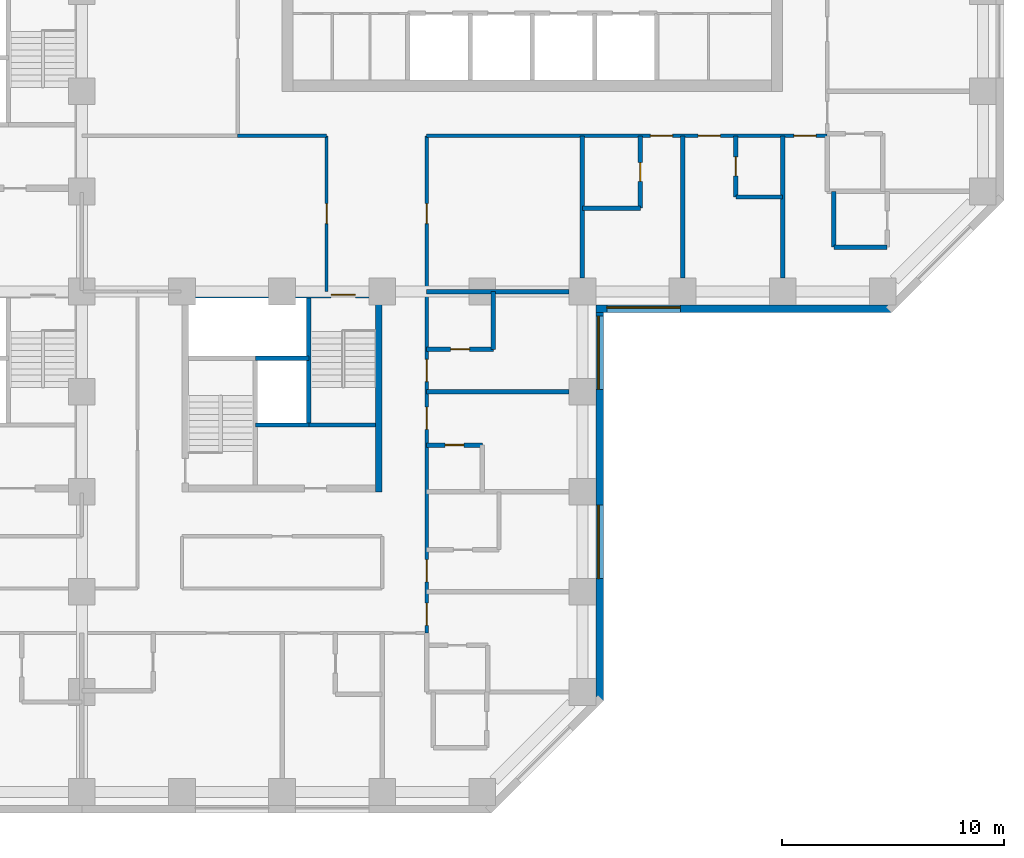
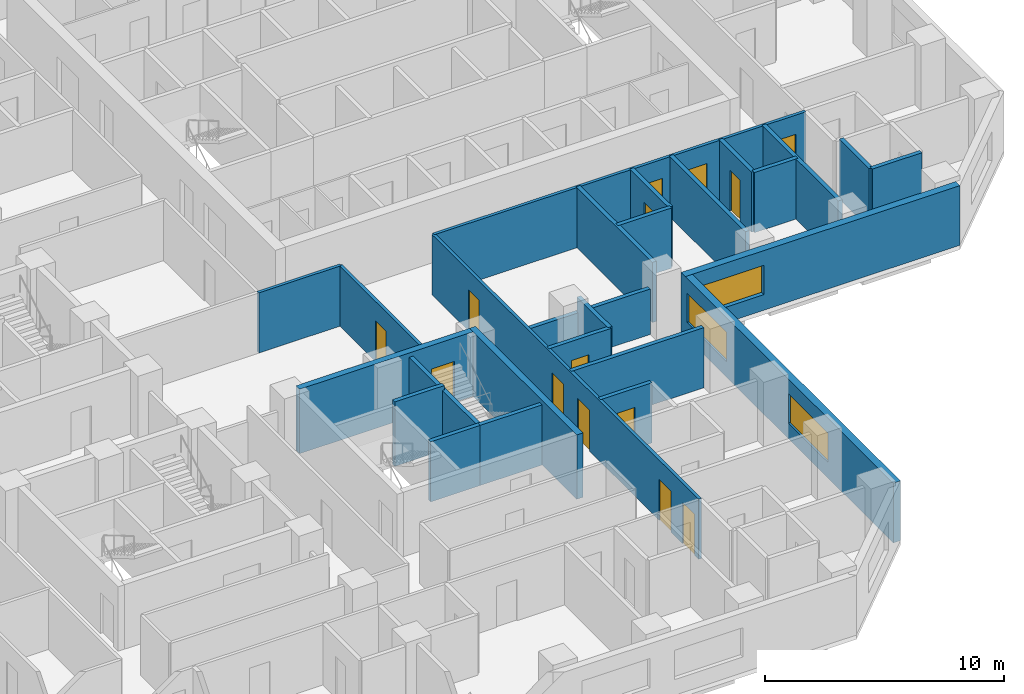
# One storey, part 5 of 12: 26 walls, 14 doors, 3 windows, 17 openings.
"""IFC4 building model written with IfcOpenShell, lengths in metres."""

from ifc_helpers import new_model, si_unit, direction, frame, frame_2d, origin, place, context, subcontext, project, spatial, rectangle, extrude, material, layer, layer_set, constituent, constituent_set, type_object, element, fill, save


model = new_model("IFC4")

# Units and contexts
model_context = context("Model", 3, precision=1e-05, world=origin(), true_north=direction((0.0, 1.0)))
body_context = subcontext(model_context, "Body", "Model", "MODEL_VIEW")
ifc_project = project(units=[si_unit("LENGTHUNIT", "METRE"), si_unit("AREAUNIT", "SQUARE_METRE"), si_unit("VOLUMEUNIT", "CUBIC_METRE"), si_unit("PLANEANGLEUNIT", "RADIAN"), si_unit("MASSUNIT", "GRAM", prefix="KILO")], contexts=[model_context])

# Site, building, storey
site_placement = place(None, origin())
site = spatial("IfcSite", under=ifc_project, at=site_placement, CompositionType="ELEMENT")
building_placement = place(site_placement, origin())
building = spatial("IfcBuilding", under=site, at=building_placement, Name="Quoin Convention Tower", CompositionType="ELEMENT")
storey_placement = place(building_placement, frame((0.0, 0.0, 59.39990234375)))
storey = spatial("IfcBuildingStorey", under=building, at=storey_placement, Name="L15", CompositionType="ELEMENT", Elevation=59.39990234375)

# Wall, openings, windows
ifc_material_1 = material(Name="Brick masonry", Category="masonry")
ifc_layer_1 = layer(ifc_material_1, 0.35009765625)
ifc_layer_set_1 = layer_set([ifc_layer_1], Name="Brick masonry")
wall_type_1 = type_object("IfcWallType", Name="Brick facade wall", PredefinedType="STANDARD", material=ifc_layer_set_1)
wall_1_placement = place(storey_placement, frame((59.27490234375, 22.1064453125, 0.0), z_axis=(0.0, 0.0, 1.0), x_axis=(0.0, 1.0, 0.0)))
wall_1 = element("IfcWall", 1, at=wall_1_placement, inside=storey, type_object=wall_type_1, Name="fw-L15-58500_22500", PredefinedType="STANDARD", context=body_context, shape_type="SweptSolid", body=[
    extrude(rectangle(XDim=17.79345703125, YDim=0.35009765625, at=frame_2d((8.896728515625, 0.0))), origin(), (0.0, 0.0, 1.0), 3.05517578125),
])
opening_1_placement = place(wall_1_placement, frame((5.493408203125, 0.0, 0.800048828125)))
opening_1 = element("IfcOpeningElement", 2, at=opening_1_placement, cuts=wall_1, Name="Opening W-01", PredefinedType="OPENING", context=body_context, shape_type="SweptSolid", body=[
    extrude(rectangle(XDim=3.300048828125, YDim=1.5, at=frame_2d((1.64990234375, 0.75))), frame((0.0, 0.18505859375, 0.0), z_axis=(0.0, -1.0, 0.0), x_axis=(1.0, 0.0, 0.0)), (0.0, 0.0, 1.0), 0.3701171875),
])
opening_2_placement = place(wall_1_placement, frame((13.993408203125, 0.0, 0.800048828125)))
opening_2 = element("IfcOpeningElement", 3, at=opening_2_placement, cuts=wall_1, Name="Opening W-01", PredefinedType="OPENING", context=body_context, shape_type="SweptSolid", body=[
    extrude(rectangle(XDim=3.300048828125, YDim=1.5, at=frame_2d((1.64990234375, 0.75))), frame((0.0, 0.18505859375, 0.0), z_axis=(0.0, -1.0, 0.0), x_axis=(1.0, 0.0, 0.0)), (0.0, 0.0, 1.0), 0.3701171875),
])
ifc_material_2 = material(Name="Aluminium", Category="aluminium")
ifc_constituent_1 = constituent(ifc_material_2, Name="Frame")
ifc_material_3 = material(Name="Insulated glass", Category="glass")
ifc_constituent_2 = constituent(ifc_material_3, Name="Glazing")
ifc_constituent_set = constituent_set(constituents=[ifc_constituent_1, ifc_constituent_2], Name="Aluminium")
window_type = type_object("IfcWindowType", Name="Hotel strip window", PartitioningType="DOUBLE_PANEL_VERTICAL", PredefinedType="WINDOW", material=ifc_constituent_set)
window_1_placement = place(opening_1_placement, origin())
window_1 = element("IfcWindow", 4, at=window_1_placement, inside=storey, type_object=window_type, Name="win-L15-59275_29250", OverallHeight=1.5, OverallWidth=3.300048828125, PartitioningType="SINGLE_PANEL", PredefinedType="WINDOW", context=body_context, shape_type="SweptSolid", body=[
    extrude(rectangle(XDim=3.300048828125, YDim=1.5, at=frame_2d((1.64990234375, 0.75))), frame((0.0, 0.0849609375, 0.0), z_axis=(0.0, -1.0, 0.0), x_axis=(1.0, 0.0, 0.0)), (0.0, 0.0, 1.0), 0.06005859375),
])
fill(opening_1, window_1)
window_2_placement = place(opening_2_placement, origin())
window_2 = element("IfcWindow", 5, at=window_2_placement, inside=storey, type_object=window_type, Name="win-L15-59275_38250", OverallHeight=1.5, OverallWidth=3.300048828125, PartitioningType="SINGLE_PANEL", PredefinedType="WINDOW", context=body_context, shape_type="SweptSolid", body=[
    extrude(rectangle(XDim=3.300048828125, YDim=1.5, at=frame_2d((1.64990234375, 0.75))), frame((0.0, 0.0849609375, 0.0), z_axis=(0.0, -1.0, 0.0), x_axis=(1.0, 0.0, 0.0)), (0.0, 0.0, 1.0), 0.06005859375),
])
fill(opening_2, window_2)

# Wall, opening, window
wall_2_placement = place(storey_placement, frame((59.10009765625, 39.72509765625, 0.0), z_axis=(0.0, 0.0, 1.0), x_axis=(1.0, 0.0, 0.0)))
wall_2 = element("IfcWall", 6, at=wall_2_placement, inside=storey, type_object=wall_type_1, Name="fw-L15-58500_40500", PredefinedType="STANDARD", context=body_context, shape_type="SweptSolid", body=[
    extrude(rectangle(XDim=13.29345703125, YDim=0.35009765625, at=frame_2d((6.646728515625, 0.0))), origin(), (0.0, 0.0, 1.0), 3.05517578125),
])
opening_3_placement = place(wall_2_placement, frame((0.5, 0.0, 0.800048828125)))
opening_3 = element("IfcOpeningElement", 7, at=opening_3_placement, cuts=wall_2, Name="Opening W-01", PredefinedType="OPENING", context=body_context, shape_type="SweptSolid", body=[
    extrude(rectangle(XDim=3.300048828125, YDim=1.5, at=frame_2d((1.64990234375, 0.75))), frame((0.0, 0.18505859375, 0.0), z_axis=(0.0, -1.0, 0.0), x_axis=(1.0, 0.0, 0.0)), (0.0, 0.0, 1.0), 0.3701171875),
])
window_3_placement = place(opening_3_placement, origin())
window_3 = element("IfcWindow", 8, at=window_3_placement, inside=storey, type_object=window_type, Name="win-L15-60750_39725", OverallHeight=1.5, OverallWidth=3.300048828125, PartitioningType="SINGLE_PANEL", PredefinedType="WINDOW", context=body_context, shape_type="SweptSolid", body=[
    extrude(rectangle(XDim=3.300048828125, YDim=1.5, at=frame_2d((1.64990234375, 0.75))), frame((0.0, 0.0849609375, 0.0), z_axis=(0.0, -1.0, 0.0), x_axis=(1.0, 0.0, 0.0)), (0.0, 0.0, 1.0), 0.06005859375),
])
fill(opening_3, window_3)

# Walls
ifc_material_4 = material(Name="Concrete C50", Category="concrete")
ifc_layer_2 = layer(ifc_material_4, 0.199951171875)
ifc_layer_set_2 = layer_set([ifc_layer_2], Name="Concrete C50")
wall_type_2 = type_object("IfcWallType", Name="Core shaft wall", PredefinedType="SOLIDWALL", material=ifc_layer_set_2)
wall_3_placement = place(storey_placement, frame((43.800048828125, 34.5, 0.0), z_axis=(0.0, 0.0, 1.0), x_axis=(1.0, 0.0, 0.0)))
element("IfcWall", 9, at=wall_3_placement, inside=storey, type_object=wall_type_2, Name="cr-P3-L15-h3000_3300", PredefinedType="SOLIDWALL", context=body_context, shape_type="SweptSolid", body=[
    extrude(rectangle(XDim=2.39990234375, YDim=0.199951171875, at=frame_2d((1.199951171875, 0.0))), origin(), (0.0, 0.0, 1.0), 3.080078125),
])
wall_4_placement = place(storey_placement, frame((46.199951171875, 34.5, 0.0), z_axis=(0.0, 0.0, 1.0), x_axis=(1.0, 0.0, 0.0)))
element("IfcWall", 10, at=wall_4_placement, inside=storey, type_object=wall_type_2, Name="cr-P3-L15-h3000_5700", PredefinedType="SOLIDWALL", context=body_context, shape_type="SweptSolid", body=[
    extrude(rectangle(XDim=3.0, YDim=0.199951171875, at=frame_2d((1.5, 0.0))), origin(), (0.0, 0.0, 1.0), 3.080078125),
])
wall_5_placement = place(storey_placement, frame((46.199951171875, 34.5, 0.0), z_axis=(0.0, 0.0, 1.0), x_axis=(0.0, 1.0, 0.0)))
element("IfcWall", 11, at=wall_5_placement, inside=storey, type_object=wall_type_2, Name="cr-P3-L15-v5700_3000", PredefinedType="SOLIDWALL", context=body_context, shape_type="SweptSolid", body=[
    extrude(rectangle(XDim=5.699951171875, YDim=0.199951171875, at=frame_2d((2.85009765625, 0.0))), origin(), (0.0, 0.0, 1.0), 3.080078125),
])
ifc_layer_3 = layer(ifc_material_4, 0.199951171875)
ifc_layer_set_3 = layer_set([ifc_layer_3], Name="Concrete C50")
wall_type_3 = type_object("IfcWallType", Name="Core shaft wall to the floor level over", PredefinedType="SOLIDWALL", material=ifc_layer_set_3)
wall_6_placement = place(storey_placement, frame((43.800048828125, 37.5, 0.0), z_axis=(0.0, 0.0, 1.0), x_axis=(1.0, 0.0, 0.0)))
element("IfcWall", 12, at=wall_6_placement, inside=storey, type_object=wall_type_3, Name="cr-P3-L15-h6000_3300", PredefinedType="SOLIDWALL", context=body_context, shape_type="SweptSolid", body=[
    extrude(rectangle(XDim=2.39990234375, YDim=0.199951171875, at=frame_2d((1.199951171875, 0.0))), origin(), (0.0, 0.0, 1.0), 3.300048828125),
])

# Wall, opening, door
ifc_material_5 = material(Name="Concrete C80", Category="concrete")
ifc_layer_4 = layer(ifc_material_5, 0.300048828125)
ifc_layer_set_4 = layer_set([ifc_layer_4], Name="Concrete C80")
wall_type_4 = type_object("IfcWallType", Name="RC CORE WALL 300 C80", PredefinedType="SHEAR", material=ifc_layer_set_4)
wall_7_placement = place(storey_placement, frame((40.800048828125, 40.35009765625, 0.0), z_axis=(0.0, 0.0, 1.0), x_axis=(1.0, 0.0, 0.0)))
wall_7 = element("IfcWall", 13, at=wall_7_placement, inside=storey, type_object=wall_type_4, Name="cwl-P3-L15-N", PredefinedType="SHEAR", context=body_context, shape_type="SweptSolid", body=[
    extrude(rectangle(XDim=8.39990234375, YDim=0.300048828125, at=frame_2d((4.199951171875, 0.0))), origin(), (0.0, 0.0, 1.0), 3.300048828125),
])
opening_4_placement = place(wall_7_placement, frame((6.39990234375, 0.0, 0.0)))
opening_4 = element("IfcOpeningElement", 14, at=opening_4_placement, cuts=wall_7, Name="Opening SD6", PredefinedType="OPENING", context=body_context, shape_type="SweptSolid", body=[
    extrude(rectangle(XDim=1.10009765625, YDim=2.10009765625, at=frame_2d((0.550048828125, 1.050048828125))), frame((0.0, 0.159912109375, 0.0), z_axis=(0.0, -1.0, 0.0), x_axis=(1.0, 0.0, 0.0)), (0.0, 0.0, 1.0), 0.320068359375),
])
ifc_material_6 = material(Name="Steel door leaf", Category="steel")
door_type_1 = type_object("IfcDoorType", Name="Stair door 1100 x 2100", OperationType="SINGLE_SWING_RIGHT", PredefinedType="DOOR", material=ifc_material_6)
door_1_placement = place(opening_4_placement, frame((1.10009765625, 0.0, 0.0), z_axis=(0.0, 0.0, 1.0), x_axis=(-1.0, 0.0, 0.0)))
door_1 = element("IfcDoor", 15, at=door_1_placement, inside=storey, type_object=door_type_1, Name="cd-P3-L15-SB-N", OperationType="SINGLE_SWING_LEFT", OverallHeight=2.10009765625, OverallWidth=1.10009765625, PredefinedType="DOOR", context=body_context, shape_type="SweptSolid", body=[
    extrude(rectangle(XDim=1.10009765625, YDim=2.10009765625, at=frame_2d((0.550048828125, 1.050048828125))), frame((0.0, 0.02490234375, 0.0), z_axis=(0.0, -1.0, 0.0), x_axis=(1.0, 0.0, 0.0)), (0.0, 0.0, 1.0), 0.050048828125),
])
fill(opening_4, door_1)

# Wall
wall_8_placement = place(storey_placement, frame((49.35009765625, 31.5, 0.0), z_axis=(0.0, 0.0, 1.0), x_axis=(0.0, 1.0, 0.0)))
element("IfcWall", 16, at=wall_8_placement, inside=storey, type_object=wall_type_4, Name="cwl-P3-L15-E", PredefinedType="SHEAR", context=body_context, shape_type="SweptSolid", body=[
    extrude(rectangle(XDim=9.0, YDim=0.300048828125, at=frame_2d((4.5, 0.0))), origin(), (0.0, 0.0, 1.0), 3.300048828125),
])

# Wall, opening, door
ifc_layer_5 = layer(ifc_material_4, 0.199951171875)
ifc_layer_set_5 = layer_set([ifc_layer_5], Name="Concrete C50")
wall_type_5 = type_object("IfcWallType", Name="RC party wall", PredefinedType="SOLIDWALL", material=ifc_layer_set_5)
wall_9_placement = place(storey_placement, frame((51.5, 33.60009765625, 0.0), z_axis=(0.0, 0.0, 1.0), x_axis=(1.0, 0.0, 0.0)))
wall_9 = element("IfcWall", 17, at=wall_9_placement, inside=storey, type_object=wall_type_5, Name="pw-L15-076", PredefinedType="SOLIDWALL", context=body_context, shape_type="SweptSolid", body=[
    extrude(rectangle(XDim=2.5, YDim=0.199951171875, at=frame_2d((1.25, 0.0))), origin(), (0.0, 0.0, 1.0), 3.080078125),
])
opening_5_placement = place(wall_9_placement, frame((0.824951171875, 0.0, 0.0)))
opening_5 = element("IfcOpeningElement", 18, at=opening_5_placement, cuts=wall_9, Name="Opening DHOTEL-D-52", PredefinedType="OPENING", context=body_context, shape_type="SweptSolid", body=[
    extrude(rectangle(XDim=0.85009765625, YDim=2.10009765625, at=frame_2d((0.425048828125, 1.050048828125))), frame((0.0, 0.10986328125, 0.0), z_axis=(0.0, -1.0, 0.0), x_axis=(1.0, 0.0, 0.0)), (0.0, 0.0, 1.0), 0.219970703125),
])
door_type_2 = type_object("IfcDoorType", Name="Bathroom door", OperationType="SINGLE_SWING_LEFT", PredefinedType="DOOR", material=ifc_material_6)
door_2_placement = place(opening_5_placement, frame((0.85009765625, 0.0, 0.0), z_axis=(0.0, 0.0, 1.0), x_axis=(-1.0, 0.0, 0.0)))
door_2 = element("IfcDoor", 19, at=door_2_placement, inside=storey, type_object=door_type_2, Name="dr-L15-028", OperationType="SINGLE_SWING_RIGHT", OverallHeight=2.10009765625, OverallWidth=0.85009765625, PredefinedType="DOOR", context=body_context, shape_type="SweptSolid", body=[
    extrude(rectangle(XDim=0.85009765625, YDim=2.10009765625, at=frame_2d((0.425048828125, 1.050048828125))), frame((0.0, 0.02490234375, 0.0), z_axis=(0.0, -1.0, 0.0), x_axis=(1.0, 0.0, 0.0)), (0.0, 0.0, 1.0), 0.050048828125),
])
fill(opening_5, door_2)

# Wall
wall_10_placement = place(storey_placement, frame((51.5, 36.0, 0.0), z_axis=(0.0, 0.0, 1.0), x_axis=(1.0, 0.0, 0.0)))
element("IfcWall", 20, at=wall_10_placement, inside=storey, type_object=wall_type_5, Name="pw-L15-079", PredefinedType="SOLIDWALL", context=body_context, shape_type="SweptSolid", body=[
    extrude(rectangle(XDim=6.39990234375, YDim=0.199951171875, at=frame_2d((3.199951171875, 0.0))), origin(), (0.0, 0.0, 1.0), 3.080078125),
])

# Wall, opening, door
wall_11_placement = place(storey_placement, frame((51.5, 37.89990234375, 0.0), z_axis=(0.0, 0.0, 1.0), x_axis=(1.0, 0.0, 0.0)))
wall_11 = element("IfcWall", 21, at=wall_11_placement, inside=storey, type_object=wall_type_5, Name="pw-L15-080", PredefinedType="SOLIDWALL", context=body_context, shape_type="SweptSolid", body=[
    extrude(rectangle(XDim=3.0, YDim=0.199951171875, at=frame_2d((1.5, 0.0))), origin(), (0.0, 0.0, 1.0), 3.080078125),
])
opening_6_placement = place(wall_11_placement, frame((1.074951171875, 0.0, 0.0)))
opening_6 = element("IfcOpeningElement", 22, at=opening_6_placement, cuts=wall_11, Name="Opening DHOTEL-D-54", PredefinedType="OPENING", context=body_context, shape_type="SweptSolid", body=[
    extrude(rectangle(XDim=0.85009765625, YDim=2.10009765625, at=frame_2d((0.425048828125, 1.050048828125))), frame((0.0, 0.10986328125, 0.0), z_axis=(0.0, -1.0, 0.0), x_axis=(1.0, 0.0, 0.0)), (0.0, 0.0, 1.0), 0.219970703125),
])
door_3_placement = place(opening_6_placement, frame((0.85009765625, 0.0, 0.0), z_axis=(0.0, 0.0, 1.0), x_axis=(-1.0, 0.0, 0.0)))
door_3 = element("IfcDoor", 23, at=door_3_placement, inside=storey, type_object=door_type_2, Name="dr-L15-030", OperationType="SINGLE_SWING_RIGHT", OverallHeight=2.10009765625, OverallWidth=0.85009765625, PredefinedType="DOOR", context=body_context, shape_type="SweptSolid", body=[
    extrude(rectangle(XDim=0.85009765625, YDim=2.10009765625, at=frame_2d((0.425048828125, 1.050048828125))), frame((0.0, 0.02490234375, 0.0), z_axis=(0.0, -1.0, 0.0), x_axis=(1.0, 0.0, 0.0)), (0.0, 0.0, 1.0), 0.050048828125),
])
fill(opening_6, door_3)

# Walls
wall_12_placement = place(storey_placement, frame((54.5, 37.89990234375, 0.0), z_axis=(0.0, 0.0, 1.0), x_axis=(0.0, 1.0, 0.0)))
element("IfcWall", 24, at=wall_12_placement, inside=storey, type_object=wall_type_5, Name="pw-L15-081", PredefinedType="SOLIDWALL", context=body_context, shape_type="SweptSolid", body=[
    extrude(rectangle(XDim=2.60009765625, YDim=0.199951171875, at=frame_2d((1.300048828125, 0.0))), origin(), (0.0, 0.0, 1.0), 3.080078125),
])
for number, where, z_axis, x_axis, name in (
    (25, (63.0, 41.10009765625, 0.0), (0.0, 0.0, 1.0), (0.0, 1.0, 0.0), "pw-L15-086"),
    (26, (67.5, 41.10009765625, 0.0), (0.0, 0.0, 1.0), (0.0, 1.0, 0.0), "pw-L15-087"),
):
    element("IfcWall", number, at=place(storey_placement, frame(where, z_axis=z_axis, x_axis=x_axis)), inside=storey, type_object=wall_type_5, Name=name, PredefinedType="SOLIDWALL", context=body_context, shape_type="SweptSolid", body=[
        extrude(rectangle(XDim=6.39990234375, YDim=0.199951171875, at=frame_2d((3.199951171875, 0.0))), origin(), (0.0, 0.0, 1.0), 3.080078125),
    ])
wall_13_placement = place(storey_placement, frame((69.800048828125, 42.5, 0.0), z_axis=(0.0, 0.0, 1.0), x_axis=(1.0, 0.0, 0.0)))
element("IfcWall", 27, at=wall_13_placement, inside=storey, type_object=wall_type_5, Name="pw-L15-088", PredefinedType="SOLIDWALL", context=body_context, shape_type="SweptSolid", body=[
    extrude(rectangle(XDim=2.39990234375, YDim=0.199951171875, at=frame_2d((1.199951171875, 0.0))), origin(), (0.0, 0.0, 1.0), 3.080078125),
])
wall_14_placement = place(storey_placement, frame((69.800048828125, 42.5, 0.0), z_axis=(0.0, 0.0, 1.0), x_axis=(0.0, 1.0, 0.0)))
element("IfcWall", 28, at=wall_14_placement, inside=storey, type_object=wall_type_5, Name="pw-L15-089", PredefinedType="SOLIDWALL", context=body_context, shape_type="SweptSolid", body=[
    extrude(rectangle(XDim=2.5, YDim=0.199951171875, at=frame_2d((1.25, 0.0))), origin(), (0.0, 0.0, 1.0), 3.080078125),
])
wall_15_placement = place(storey_placement, frame((58.5, 44.25, 0.0), z_axis=(0.0, 0.0, 1.0), x_axis=(1.0, 0.0, 0.0)))
element("IfcWall", 29, at=wall_15_placement, inside=storey, type_object=wall_type_5, Name="pw-L15-092", PredefinedType="SOLIDWALL", context=body_context, shape_type="SweptSolid", body=[
    extrude(rectangle(XDim=2.60009765625, YDim=0.199951171875, at=frame_2d((1.300048828125, 0.0))), origin(), (0.0, 0.0, 1.0), 3.080078125),
])

# Wall, opening, door
wall_16_placement = place(storey_placement, frame((61.10009765625, 44.25, 0.0), z_axis=(0.0, 0.0, 1.0), x_axis=(0.0, 1.0, 0.0)))
wall_16 = element("IfcWall", 30, at=wall_16_placement, inside=storey, type_object=wall_type_5, Name="pw-L15-093", PredefinedType="SOLIDWALL", context=body_context, shape_type="SweptSolid", body=[
    extrude(rectangle(XDim=3.25, YDim=0.199951171875, at=frame_2d((1.625, 0.0))), origin(), (0.0, 0.0, 1.0), 3.080078125),
])
opening_7_placement = place(wall_16_placement, frame((1.199951171875, 0.0, 0.0)))
opening_7 = element("IfcOpeningElement", 31, at=opening_7_placement, cuts=wall_16, Name="Opening DHOTEL-D-58", PredefinedType="OPENING", context=body_context, shape_type="SweptSolid", body=[
    extrude(rectangle(XDim=0.85009765625, YDim=2.10009765625, at=frame_2d((0.425048828125, 1.050048828125))), frame((0.0, 0.10986328125, 0.0), z_axis=(0.0, -1.0, 0.0), x_axis=(1.0, 0.0, 0.0)), (0.0, 0.0, 1.0), 0.219970703125),
])
door_4_placement = place(opening_7_placement, frame((0.85009765625, 0.0, 0.0), z_axis=(0.0, 0.0, 1.0), x_axis=(-1.0, 0.0, 0.0)))
door_4 = element("IfcDoor", 32, at=door_4_placement, inside=storey, type_object=door_type_2, Name="dr-L15-058", OperationType="SINGLE_SWING_LEFT", OverallHeight=2.10009765625, OverallWidth=0.85009765625, PredefinedType="DOOR", context=body_context, shape_type="SweptSolid", body=[
    extrude(rectangle(XDim=0.85009765625, YDim=2.10009765625, at=frame_2d((0.425048828125, 1.050048828125))), frame((0.0, 0.02490234375, 0.0), z_axis=(0.0, -1.0, 0.0), x_axis=(1.0, 0.0, 0.0)), (0.0, 0.0, 1.0), 0.050048828125),
])
fill(opening_7, door_4)

# Wall
wall_17_placement = place(storey_placement, frame((65.39990234375, 44.75, 0.0), z_axis=(0.0, 0.0, 1.0), x_axis=(1.0, 0.0, 0.0)))
element("IfcWall", 33, at=wall_17_placement, inside=storey, type_object=wall_type_5, Name="pw-L15-094", PredefinedType="SOLIDWALL", context=body_context, shape_type="SweptSolid", body=[
    extrude(rectangle(XDim=2.10009765625, YDim=0.199951171875, at=frame_2d((1.050048828125, 0.0))), origin(), (0.0, 0.0, 1.0), 3.080078125),
])

# Wall, opening, door
wall_18_placement = place(storey_placement, frame((65.39990234375, 44.75, 0.0), z_axis=(0.0, 0.0, 1.0), x_axis=(0.0, 1.0, 0.0)))
wall_18 = element("IfcWall", 34, at=wall_18_placement, inside=storey, type_object=wall_type_5, Name="pw-L15-095", PredefinedType="SOLIDWALL", context=body_context, shape_type="SweptSolid", body=[
    extrude(rectangle(XDim=2.75, YDim=0.199951171875, at=frame_2d((1.375, 0.0))), origin(), (0.0, 0.0, 1.0), 3.080078125),
])
opening_8_placement = place(wall_18_placement, frame((0.949951171875, 0.0, 0.0)))
opening_8 = element("IfcOpeningElement", 35, at=opening_8_placement, cuts=wall_18, Name="Opening DHOTEL-D-59", PredefinedType="OPENING", context=body_context, shape_type="SweptSolid", body=[
    extrude(rectangle(XDim=0.85009765625, YDim=2.10009765625, at=frame_2d((0.425048828125, 1.050048828125))), frame((0.0, 0.10986328125, 0.0), z_axis=(0.0, -1.0, 0.0), x_axis=(1.0, 0.0, 0.0)), (0.0, 0.0, 1.0), 0.219970703125),
])
door_5_placement = place(opening_8_placement, origin())
door_5 = element("IfcDoor", 36, at=door_5_placement, inside=storey, type_object=door_type_2, Name="dr-L15-056", OperationType="SINGLE_SWING_RIGHT", OverallHeight=2.10009765625, OverallWidth=0.85009765625, PredefinedType="DOOR", context=body_context, shape_type="SweptSolid", body=[
    extrude(rectangle(XDim=0.85009765625, YDim=2.10009765625, at=frame_2d((0.425048828125, 1.050048828125))), frame((0.0, 0.02490234375, 0.0), z_axis=(0.0, -1.0, 0.0), x_axis=(1.0, 0.0, 0.0)), (0.0, 0.0, 1.0), 0.050048828125),
])
fill(opening_8, door_5)

# Wall, openings, doors
ifc_material_7 = material(Name="Plasterboard")
ifc_layer_6 = layer(ifc_material_7, 0.012451171875, Name="Finish")
ifc_material_8 = material(Name="Steel stud framing", Category="steel")
ifc_layer_7 = layer(ifc_material_8, 0.125, Name="Structure")
ifc_layer_8 = layer(ifc_material_7, 0.012451171875, Name="Finish")
ifc_layer_set_6 = layer_set([ifc_layer_6, ifc_layer_7, ifc_layer_8], Name="Steel stud framing")
wall_type_6 = type_object("IfcWallType", Name="corridor partition", PredefinedType="PARTITIONING", material=ifc_layer_set_6)
wall_19_placement = place(storey_placement, frame((51.5, 25.14990234375, 0.0), z_axis=(0.0, 0.0, 1.0), x_axis=(0.0, 1.0, 0.0)))
wall_19 = element("IfcWall", 37, at=wall_19_placement, inside=storey, type_object=wall_type_6, Name="pw-L15-007", PredefinedType="PARTITIONING", context=body_context, shape_type="SweptSolid", body=[
    extrude(rectangle(XDim=22.35009765625, YDim=0.14990234375, at=frame_2d((11.175048828125, 0.0))), origin(), (0.0, 0.0, 1.0), 3.080078125),
])
opening_9_placement = place(wall_19_placement, frame((0.346923828125, 0.0, 0.0)))
opening_9 = element("IfcOpeningElement", 38, at=opening_9_placement, cuts=wall_19, Name="Opening DHOTEL-D-13", PredefinedType="OPENING", context=body_context, shape_type="SweptSolid", body=[
    extrude(rectangle(XDim=1.0, YDim=2.10009765625, at=frame_2d((0.5, 1.050048828125))), frame((0.0, 0.0849609375, 0.0), z_axis=(0.0, -1.0, 0.0), x_axis=(1.0, 0.0, 0.0)), (0.0, 0.0, 1.0), 0.169921875),
])
opening_10_placement = place(wall_19_placement, frame((2.300048828125, 0.0, 0.0)))
opening_10 = element("IfcOpeningElement", 39, at=opening_10_placement, cuts=wall_19, Name="Opening DHOTEL-D-14", PredefinedType="OPENING", context=body_context, shape_type="SweptSolid", body=[
    extrude(rectangle(XDim=1.0, YDim=2.10009765625, at=frame_2d((0.5, 1.050048828125))), frame((0.0, 0.0849609375, 0.0), z_axis=(0.0, -1.0, 0.0), x_axis=(1.0, 0.0, 0.0)), (0.0, 0.0, 1.0), 0.169921875),
])
opening_11_placement = place(wall_19_placement, frame((9.14990234375, 0.0, 0.0)))
opening_11 = element("IfcOpeningElement", 40, at=opening_11_placement, cuts=wall_19, Name="Opening DHOTEL-D-15", PredefinedType="OPENING", context=body_context, shape_type="SweptSolid", body=[
    extrude(rectangle(XDim=1.0, YDim=2.10009765625, at=frame_2d((0.5, 1.050048828125))), frame((0.0, 0.0849609375, 0.0), z_axis=(0.0, -1.0, 0.0), x_axis=(1.0, 0.0, 0.0)), (0.0, 0.0, 1.0), 0.169921875),
])
opening_12_placement = place(wall_19_placement, frame((11.300048828125, 0.0, 0.0)))
opening_12 = element("IfcOpeningElement", 41, at=opening_12_placement, cuts=wall_19, Name="Opening DHOTEL-D-16", PredefinedType="OPENING", context=body_context, shape_type="SweptSolid", body=[
    extrude(rectangle(XDim=1.0, YDim=2.10009765625, at=frame_2d((0.5, 1.050048828125))), frame((0.0, 0.0849609375, 0.0), z_axis=(0.0, -1.0, 0.0), x_axis=(1.0, 0.0, 0.0)), (0.0, 0.0, 1.0), 0.169921875),
])
opening_13_placement = place(wall_19_placement, frame((18.39990234375, 0.0, 0.0)))
opening_13 = element("IfcOpeningElement", 42, at=opening_13_placement, cuts=wall_19, Name="Opening DHOTEL-D-17", PredefinedType="OPENING", context=body_context, shape_type="SweptSolid", body=[
    extrude(rectangle(XDim=0.89990234375, YDim=2.10009765625, at=frame_2d((0.449951171875, 1.050048828125))), frame((0.0, 0.0849609375, 0.0), z_axis=(0.0, -1.0, 0.0), x_axis=(1.0, 0.0, 0.0)), (0.0, 0.0, 1.0), 0.169921875),
])
door_type_3 = type_object("IfcDoorType", Name="Hotel room door", OperationType="SINGLE_SWING_LEFT", PredefinedType="DOOR", material=ifc_material_6)
door_6_placement = place(opening_9_placement, frame((1.0, 0.0, 0.0), z_axis=(0.0, 0.0, 1.0), x_axis=(-1.0, 0.0, 0.0)))
door_6 = element("IfcDoor", 43, at=door_6_placement, inside=storey, type_object=door_type_3, Name="dr-L15-023", OperationType="SINGLE_SWING_RIGHT", OverallHeight=2.10009765625, OverallWidth=1.0, PredefinedType="DOOR", context=body_context, shape_type="SweptSolid", body=[
    extrude(rectangle(XDim=1.0, YDim=2.10009765625, at=frame_2d((0.5, 1.050048828125))), frame((0.0, 0.02490234375, 0.0), z_axis=(0.0, -1.0, 0.0), x_axis=(1.0, 0.0, 0.0)), (0.0, 0.0, 1.0), 0.050048828125),
])
fill(opening_9, door_6)
door_7_placement = place(opening_10_placement, frame((1.0, 0.0, 0.0), z_axis=(0.0, 0.0, 1.0), x_axis=(-1.0, 0.0, 0.0)))
door_7 = element("IfcDoor", 44, at=door_7_placement, inside=storey, type_object=door_type_3, Name="dr-L15-025", OperationType="SINGLE_SWING_LEFT", OverallHeight=2.10009765625, OverallWidth=1.0, PredefinedType="DOOR", context=body_context, shape_type="SweptSolid", body=[
    extrude(rectangle(XDim=1.0, YDim=2.10009765625, at=frame_2d((0.5, 1.050048828125))), frame((0.0, 0.02490234375, 0.0), z_axis=(0.0, -1.0, 0.0), x_axis=(1.0, 0.0, 0.0)), (0.0, 0.0, 1.0), 0.050048828125),
])
fill(opening_10, door_7)
door_8_placement = place(opening_11_placement, frame((1.0, 0.0, 0.0), z_axis=(0.0, 0.0, 1.0), x_axis=(-1.0, 0.0, 0.0)))
door_8 = element("IfcDoor", 45, at=door_8_placement, inside=storey, type_object=door_type_3, Name="dr-L15-027", OperationType="SINGLE_SWING_LEFT", OverallHeight=2.10009765625, OverallWidth=1.0, PredefinedType="DOOR", context=body_context, shape_type="SweptSolid", body=[
    extrude(rectangle(XDim=1.0, YDim=2.10009765625, at=frame_2d((0.5, 1.050048828125))), frame((0.0, 0.02490234375, 0.0), z_axis=(0.0, -1.0, 0.0), x_axis=(1.0, 0.0, 0.0)), (0.0, 0.0, 1.0), 0.050048828125),
])
fill(opening_11, door_8)
door_9_placement = place(opening_12_placement, frame((1.0, 0.0, 0.0), z_axis=(0.0, 0.0, 1.0), x_axis=(-1.0, 0.0, 0.0)))
door_9 = element("IfcDoor", 46, at=door_9_placement, inside=storey, type_object=door_type_3, Name="dr-L15-029", OperationType="SINGLE_SWING_LEFT", OverallHeight=2.10009765625, OverallWidth=1.0, PredefinedType="DOOR", context=body_context, shape_type="SweptSolid", body=[
    extrude(rectangle(XDim=1.0, YDim=2.10009765625, at=frame_2d((0.5, 1.050048828125))), frame((0.0, 0.02490234375, 0.0), z_axis=(0.0, -1.0, 0.0), x_axis=(1.0, 0.0, 0.0)), (0.0, 0.0, 1.0), 0.050048828125),
])
fill(opening_12, door_9)
door_type_4 = type_object("IfcDoorType", Name="Single room door", OperationType="SINGLE_SWING_RIGHT", PredefinedType="DOOR", material=ifc_material_6)
door_10_placement = place(opening_13_placement, frame((0.89990234375, 0.0, 0.0), z_axis=(0.0, 0.0, 1.0), x_axis=(-1.0, 0.0, 0.0)))
door_10 = element("IfcDoor", 47, at=door_10_placement, inside=storey, type_object=door_type_4, Name="dr-L15-080", OperationType="SINGLE_SWING_LEFT", OverallHeight=2.10009765625, OverallWidth=0.89990234375, PredefinedType="DOOR", context=body_context, shape_type="SweptSolid", body=[
    extrude(rectangle(XDim=0.89990234375, YDim=2.10009765625, at=frame_2d((0.449951171875, 1.050048828125))), frame((0.0, 0.02490234375, 0.0), z_axis=(0.0, -1.0, 0.0), x_axis=(1.0, 0.0, 0.0)), (0.0, 0.0, 1.0), 0.050048828125),
])
fill(opening_13, door_10)

# Wall, opening, door
wall_20_placement = place(storey_placement, frame((47.0, 40.5, 0.0), z_axis=(0.0, 0.0, 1.0), x_axis=(0.0, 1.0, 0.0)))
wall_20 = element("IfcWall", 48, at=wall_20_placement, inside=storey, type_object=wall_type_6, Name="pw-L15-024", PredefinedType="PARTITIONING", context=body_context, shape_type="SweptSolid", body=[
    extrude(rectangle(XDim=7.0, YDim=0.14990234375, at=frame_2d((3.5, 0.0))), origin(), (0.0, 0.0, 1.0), 3.080078125),
])
opening_14_placement = place(wall_20_placement, frame((3.050048828125, 0.0, 0.0)))
opening_14 = element("IfcOpeningElement", 49, at=opening_14_placement, cuts=wall_20, Name="Opening DHOTEL-D-22", PredefinedType="OPENING", context=body_context, shape_type="SweptSolid", body=[
    extrude(rectangle(XDim=0.89990234375, YDim=2.10009765625, at=frame_2d((0.449951171875, 1.050048828125))), frame((0.0, 0.0849609375, 0.0), z_axis=(0.0, -1.0, 0.0), x_axis=(1.0, 0.0, 0.0)), (0.0, 0.0, 1.0), 0.169921875),
])
door_11_placement = place(opening_14_placement, origin())
door_11 = element("IfcDoor", 50, at=door_11_placement, inside=storey, type_object=door_type_4, Name="dr-L15-079", OperationType="SINGLE_SWING_RIGHT", OverallHeight=2.10009765625, OverallWidth=0.89990234375, PredefinedType="DOOR", context=body_context, shape_type="SweptSolid", body=[
    extrude(rectangle(XDim=0.89990234375, YDim=2.10009765625, at=frame_2d((0.449951171875, 1.050048828125))), frame((0.0, 0.02490234375, 0.0), z_axis=(0.0, -1.0, 0.0), x_axis=(1.0, 0.0, 0.0)), (0.0, 0.0, 1.0), 0.050048828125),
])
fill(opening_14, door_11)

# Wall
wall_21_placement = place(storey_placement, frame((43.0, 47.5, 0.0), z_axis=(0.0, 0.0, 1.0), x_axis=(1.0, 0.0, 0.0)))
element("IfcWall", 51, at=wall_21_placement, inside=storey, type_object=wall_type_6, Name="pw-L15-028", PredefinedType="PARTITIONING", context=body_context, shape_type="SweptSolid", body=[
    extrude(rectangle(XDim=4.0, YDim=0.14990234375, at=frame_2d((2.0, 0.0))), origin(), (0.0, 0.0, 1.0), 3.080078125),
])

# Wall, openings, doors
wall_22_placement = place(storey_placement, frame((51.5, 47.5, 0.0), z_axis=(0.0, 0.0, 1.0), x_axis=(1.0, 0.0, 0.0)))
wall_22 = element("IfcWall", 52, at=wall_22_placement, inside=storey, type_object=wall_type_6, Name="pw-L15-030", PredefinedType="PARTITIONING", context=body_context, shape_type="SweptSolid", body=[
    extrude(rectangle(XDim=18.0, YDim=0.14990234375, at=frame_2d((9.0, 0.0))), origin(), (0.0, 0.0, 1.0), 3.080078125),
])
opening_15_placement = place(wall_22_placement, frame((12.199951171875, 0.0, 0.0)))
opening_15 = element("IfcOpeningElement", 53, at=opening_15_placement, cuts=wall_22, Name="Opening DHOTEL-D-26", PredefinedType="OPENING", context=body_context, shape_type="SweptSolid", body=[
    extrude(rectangle(XDim=1.0, YDim=2.10009765625, at=frame_2d((0.5, 1.050048828125))), frame((0.0, 0.0849609375, 0.0), z_axis=(0.0, -1.0, 0.0), x_axis=(1.0, 0.0, 0.0)), (0.0, 0.0, 1.0), 0.169921875),
])
opening_16_placement = place(wall_22_placement, frame((10.050048828125, 0.0, 0.0)))
opening_16 = element("IfcOpeningElement", 54, at=opening_16_placement, cuts=wall_22, Name="Opening DHOTEL-D-25", PredefinedType="OPENING", context=body_context, shape_type="SweptSolid", body=[
    extrude(rectangle(XDim=1.0, YDim=2.10009765625, at=frame_2d((0.5, 1.050048828125))), frame((0.0, 0.0849609375, 0.0), z_axis=(0.0, -1.0, 0.0), x_axis=(1.0, 0.0, 0.0)), (0.0, 0.0, 1.0), 0.169921875),
])
opening_17_placement = place(wall_22_placement, frame((16.5, 0.0, 0.0)))
opening_17 = element("IfcOpeningElement", 55, at=opening_17_placement, cuts=wall_22, Name="Opening DHOTEL-D-27", PredefinedType="OPENING", context=body_context, shape_type="SweptSolid", body=[
    extrude(rectangle(XDim=1.0, YDim=2.10009765625, at=frame_2d((0.5, 1.050048828125))), frame((0.0, 0.0849609375, 0.0), z_axis=(0.0, -1.0, 0.0), x_axis=(1.0, 0.0, 0.0)), (0.0, 0.0, 1.0), 0.169921875),
])
door_12_placement = place(opening_15_placement, frame((1.0, 0.0, 0.0), z_axis=(0.0, 0.0, 1.0), x_axis=(-1.0, 0.0, 0.0)))
door_12 = element("IfcDoor", 56, at=door_12_placement, inside=storey, type_object=door_type_3, Name="dr-L15-055", OperationType="SINGLE_SWING_LEFT", OverallHeight=2.10009765625, OverallWidth=1.0, PredefinedType="DOOR", context=body_context, shape_type="SweptSolid", body=[
    extrude(rectangle(XDim=1.0, YDim=2.10009765625, at=frame_2d((0.5, 1.050048828125))), frame((0.0, 0.02490234375, 0.0), z_axis=(0.0, -1.0, 0.0), x_axis=(1.0, 0.0, 0.0)), (0.0, 0.0, 1.0), 0.050048828125),
])
fill(opening_15, door_12)
door_13_placement = place(opening_16_placement, frame((1.0, 0.0, 0.0), z_axis=(0.0, 0.0, 1.0), x_axis=(-1.0, 0.0, 0.0)))
door_13 = element("IfcDoor", 57, at=door_13_placement, inside=storey, type_object=door_type_3, Name="dr-L15-057", OperationType="SINGLE_SWING_LEFT", OverallHeight=2.10009765625, OverallWidth=1.0, PredefinedType="DOOR", context=body_context, shape_type="SweptSolid", body=[
    extrude(rectangle(XDim=1.0, YDim=2.10009765625, at=frame_2d((0.5, 1.050048828125))), frame((0.0, 0.02490234375, 0.0), z_axis=(0.0, -1.0, 0.0), x_axis=(1.0, 0.0, 0.0)), (0.0, 0.0, 1.0), 0.050048828125),
])
fill(opening_16, door_13)
door_14_placement = place(opening_17_placement, frame((1.0, 0.0, 0.0), z_axis=(0.0, 0.0, 1.0), x_axis=(-1.0, 0.0, 0.0)))
door_14 = element("IfcDoor", 58, at=door_14_placement, inside=storey, type_object=door_type_3, Name="dr-L15-069", OperationType="SINGLE_SWING_LEFT", OverallHeight=2.10009765625, OverallWidth=1.0, PredefinedType="DOOR", context=body_context, shape_type="SweptSolid", body=[
    extrude(rectangle(XDim=1.0, YDim=2.10009765625, at=frame_2d((0.5, 1.050048828125))), frame((0.0, 0.02490234375, 0.0), z_axis=(0.0, -1.0, 0.0), x_axis=(1.0, 0.0, 0.0)), (0.0, 0.0, 1.0), 0.050048828125),
])
fill(opening_17, door_14)

# Walls
ifc_layer_9 = layer(ifc_material_7, 0.012451171875, Name="Finish")
ifc_layer_10 = layer(ifc_material_8, 0.175048828125, Name="Structure")
ifc_layer_11 = layer(ifc_material_7, 0.012451171875, Name="Finish")
ifc_layer_set_7 = layer_set([ifc_layer_9, ifc_layer_10, ifc_layer_11], Name="Steel stud framing")
wall_type_7 = type_object("IfcWallType", Name="guest room compartment wall", PredefinedType="PARTITIONING", material=ifc_layer_set_7)
wall_23_placement = place(storey_placement, frame((58.5, 41.10009765625, 0.0), z_axis=(0.0, 0.0, 1.0), x_axis=(0.0, 1.0, 0.0)))
element("IfcWall", 59, at=wall_23_placement, inside=storey, type_object=wall_type_7, Name="pw-L15-002", PredefinedType="PARTITIONING", context=body_context, shape_type="SweptSolid", body=[
    extrude(rectangle(XDim=6.39990234375, YDim=0.199951171875, at=frame_2d((3.199951171875, 0.0))), origin(), (0.0, 0.0, 1.0), 3.080078125),
])
ifc_layer_12 = layer(ifc_material_7, 0.012451171875, Name="Finish")
ifc_layer_13 = layer(ifc_material_8, 0.175048828125, Name="Structure")
ifc_layer_14 = layer(ifc_material_7, 0.012451171875, Name="Finish")
ifc_layer_set_8 = layer_set([ifc_layer_12, ifc_layer_13, ifc_layer_14], Name="Steel stud framing")
wall_type_8 = type_object("IfcWallType", Name="guest room compartment wall under beam 750", PredefinedType="PARTITIONING", material=ifc_layer_set_8)
wall_24_placement = place(storey_placement, frame((51.5, 40.5, 0.0), z_axis=(0.0, 0.0, 1.0), x_axis=(1.0, 0.0, 0.0)))
element("IfcWall", 60, at=wall_24_placement, inside=storey, type_object=wall_type_8, Name="pw-L15-001", PredefinedType="PARTITIONING", context=body_context, shape_type="SweptSolid", body=[
    extrude(rectangle(XDim=6.39990234375, YDim=0.199951171875, at=frame_2d((3.199951171875, 0.0))), origin(), (0.0, 0.0, 1.0), 2.330078125),
])

save(model, "model.ifc")
